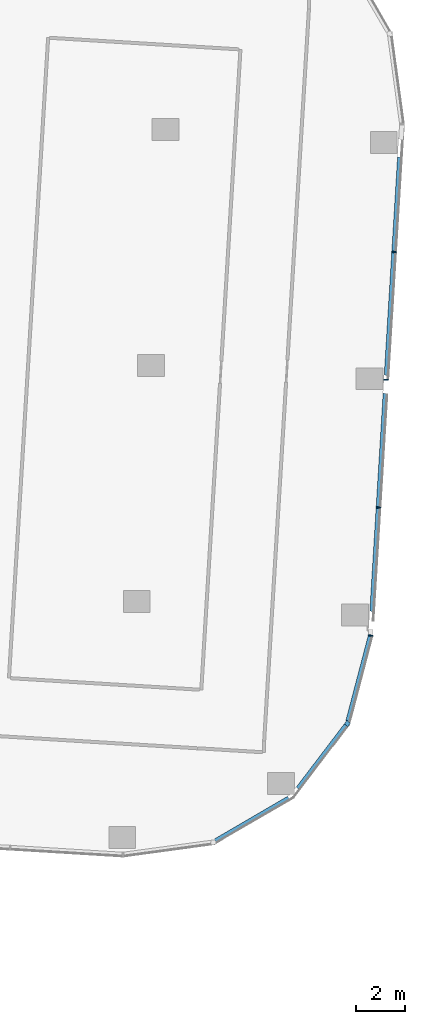
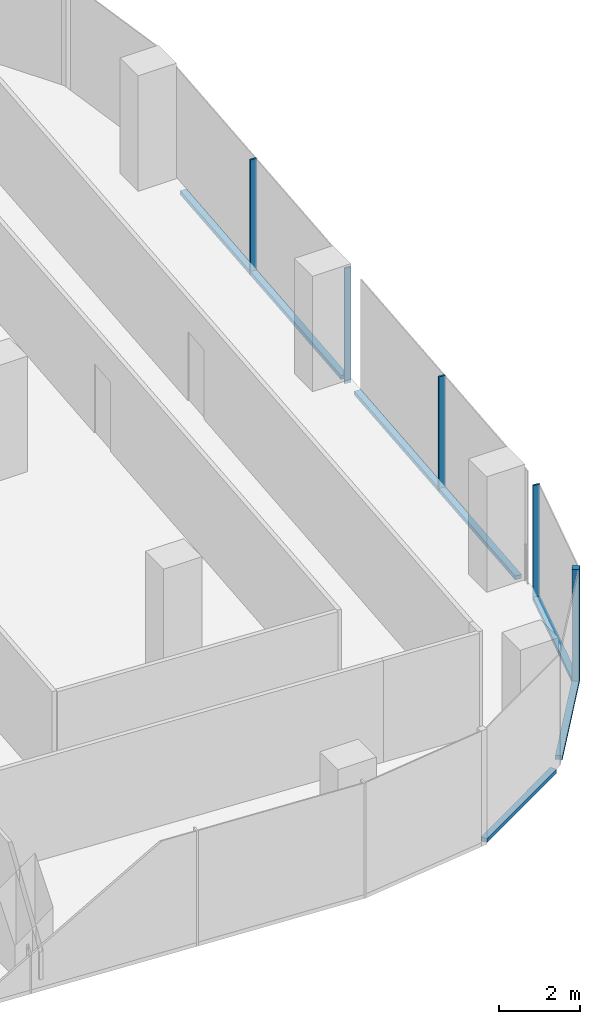
# One storey, part 9 of 32: 10 members, 4 elements without a shape of their own.
"""IFC4 building model written with IfcOpenShell, lengths in metres."""

from ifc_helpers import new_model, si_unit, direction, frame, origin, origin_2d, place, context, subcontext, project, spatial, rectangle, extrude, material, material_profile, profile_set, type_object, element, aggregate, save


model = new_model("IFC4")

# Units and contexts
model_context = context("Model", 3, precision=1e-05, world=origin(), true_north=direction((0.0, 1.0)))
body_context = subcontext(model_context, "Body", "Model", "MODEL_VIEW")
ifc_project = project(units=[si_unit("LENGTHUNIT", "METRE"), si_unit("AREAUNIT", "SQUARE_METRE"), si_unit("VOLUMEUNIT", "CUBIC_METRE"), si_unit("PLANEANGLEUNIT", "RADIAN"), si_unit("MASSUNIT", "GRAM", prefix="KILO")], contexts=[model_context])

# Site, building, storey
site_placement = place(None, origin())
site = spatial("IfcSite", under=ifc_project, at=site_placement, CompositionType="ELEMENT")
building_placement = place(site_placement, origin())
building = spatial("IfcBuilding", under=site, at=building_placement, Name="Orlundy Tower", CompositionType="ELEMENT")
storey_placement = place(building_placement, frame((0.0, 0.0, 152.60009765625)))
storey = spatial("IfcBuildingStorey", under=building, at=storey_placement, Name="L39", CompositionType="ELEMENT", Elevation=152.60009765625)

# Curtain wall, member
ifc_material_1 = material(Name="Aluminium bronze anodised", Category="aluminium")
curtain_wall_type = type_object("IfcCurtainWallType", Name="CW1 wall", PredefinedType="NOTDEFINED", material=ifc_material_1)
curtain_wall_1_placement = place(storey_placement, origin())
curtain_wall_1 = element("IfcCurtainWall", 1, at=curtain_wall_1_placement, inside=storey, type_object=curtain_wall_type, Name="CW1 run 025", PredefinedType="NOTDEFINED")
ifc_material_2 = material(Name="Aluminium bronze anodised", Category="aluminium")
ifc_material_profile_1 = material_profile(ifc_material_2, rectangle(XDim=0.179931640625, YDim=0.179931640625, at=origin_2d()), Name="CW1 corner post 180x180")
ifc_profile_set_1 = profile_set([ifc_material_profile_1], Name="Aluminium bronze anodised")
member_type_1 = type_object("IfcMemberType", Name="CW1 corner post 180x180", PredefinedType="MULLION", material=ifc_profile_set_1)
member_1_placement = place(storey_placement, frame((58.884521484375, -17.79833984375, -0.400146484375), z_axis=(0.0, 0.0, 1.0), x_axis=(0.796131001065, -0.605124308835, 0.0)))
member_1 = element("IfcMember", 2, at=member_1_placement, type_object=member_type_1, Name="CW1 mullion 66", PredefinedType="MULLION", context=body_context, shape_type="SweptSolid", body=[
    extrude(rectangle(XDim=0.179931640625, YDim=0.179931640625, at=origin_2d()), origin(), (0.0, 0.0, 1.0), 3.5),
])

# Curtain wall, members
curtain_wall_2_placement = place(storey_placement, origin())
curtain_wall_2 = element("IfcCurtainWall", 3, at=curtain_wall_2_placement, inside=storey, type_object=curtain_wall_type, Name="CW1 run 023", PredefinedType="NOTDEFINED")
ifc_material_3 = material(Name="Aluminium bronze anodised", Category="aluminium")
ifc_material_profile_2 = material_profile(ifc_material_3, rectangle(XDim=0.179931640625, YDim=0.050048828125, at=origin_2d()), Name="CW1 mullion 50x180")
ifc_profile_set_2 = profile_set([ifc_material_profile_2], Name="Aluminium bronze anodised")
member_type_2 = type_object("IfcMemberType", Name="CW1 mullion 50x180", PredefinedType="MULLION", material=ifc_profile_set_2)
member_2_placement = place(storey_placement, frame((60.79736328125, 1.541259765625, -0.400146484375), z_axis=(0.0, 0.0, 1.0), x_axis=(0.998134884544, -0.061047131434, 0.0)))
member_2 = element("IfcMember", 4, at=member_2_placement, type_object=member_type_2, Name="CW1 mullion 62", PredefinedType="MULLION", context=body_context, shape_type="SweptSolid", body=[
    extrude(rectangle(XDim=0.179931640625, YDim=0.050048828125, at=origin_2d()), origin(), (0.0, 0.0, 1.0), 3.5),
])
member_3_placement = place(storey_placement, frame((60.476806640625, -3.698974609375, -0.400146484375), z_axis=(0.0, 0.0, 1.0), x_axis=(0.998134884544, -0.061047131434, 0.0)))
member_3 = element("IfcMember", 5, at=member_3_placement, type_object=member_type_2, Name="CW1 mullion 63", PredefinedType="MULLION", context=body_context, shape_type="SweptSolid", body=[
    extrude(rectangle(XDim=0.179931640625, YDim=0.050048828125, at=origin_2d()), origin(), (0.0, 0.0, 1.0), 3.5),
])
member_4_placement = place(storey_placement, frame((60.15625, -8.939208984375, -0.400146484375), z_axis=(0.0, 0.0, 1.0), x_axis=(0.998134884544, -0.061047131434, 0.0)))
member_4 = element("IfcMember", 6, at=member_4_placement, type_object=member_type_2, Name="CW1 mullion 64", PredefinedType="MULLION", context=body_context, shape_type="SweptSolid", body=[
    extrude(rectangle(XDim=0.179931640625, YDim=0.050048828125, at=origin_2d()), origin(), (0.0, 0.0, 1.0), 3.5),
])

# Curtain wall, member
curtain_wall_3_placement = place(storey_placement, origin())
curtain_wall_3 = element("IfcCurtainWall", 7, at=curtain_wall_3_placement, inside=storey, type_object=curtain_wall_type, Name="CW1 run 024", PredefinedType="NOTDEFINED")
member_5_placement = place(storey_placement, frame((59.835205078125, -14.188232421875, -0.400146484375), z_axis=(0.0, 0.0, 1.0), x_axis=(0.987336298945, -0.158641207715, 0.0)))
member_5 = element("IfcMember", 8, at=member_5_placement, type_object=member_type_2, Name="CW1 mullion 65", PredefinedType="MULLION", context=body_context, shape_type="SweptSolid", body=[
    extrude(rectangle(XDim=0.179931640625, YDim=0.050048828125, at=origin_2d()), origin(), (0.0, 0.0, 1.0), 3.5),
])

# Member
ifc_material_4 = material(Name="Aluminium bronze anodised", Category="aluminium")
ifc_material_profile_3 = material_profile(ifc_material_4, rectangle(XDim=0.179931640625, YDim=0.1201171875, at=origin_2d()), Name="CW1 transom 180x120")
ifc_profile_set_3 = profile_set([ifc_material_profile_3], Name="Aluminium bronze anodised")
member_type_3 = type_object("IfcMemberType", Name="CW1 transom 180x120", PredefinedType="USERDEFINED", material=ifc_profile_set_3)
member_6_placement = place(storey_placement, frame((61.034912109375, 5.425048828125, -0.340087890625), z_axis=(-0.061048001915, -0.998134831304, 0.0), x_axis=(0.998134831304, -0.061048001915, 0.0)))
member_6 = element("IfcMember", 9, at=member_6_placement, type_object=member_type_3, Name="CW1 transom", ObjectType="TRANSOM", PredefinedType="USERDEFINED", context=body_context, shape_type="SweptSolid", body=[
    extrude(rectangle(XDim=0.179931640625, YDim=0.1201171875, at=origin_2d()), origin(), (0.0, 0.0, 1.0), 8.9580078125),
])

member_7_placement = place(storey_placement, frame((60.442626953125, -4.257080078125, -0.340087890625), z_axis=(-0.061039114638, -0.998135374829, 0.0), x_axis=(0.998135374829, -0.061039114638, 0.0)))
member_7 = element("IfcMember", 10, at=member_7_placement, type_object=member_type_3, Name="CW1 transom", ObjectType="TRANSOM", PredefinedType="USERDEFINED", context=body_context, shape_type="SweptSolid", body=[
    extrude(rectangle(XDim=0.179931640625, YDim=0.1201171875, at=origin_2d()), origin(), (0.0, 0.0, 1.0), 8.955322265625),
])

aggregate(curtain_wall_2, [member_2, member_3, member_4, member_6, member_7])

member_8_placement = place(storey_placement, frame((59.828857421875, -14.212646484375, -0.340087890625), z_axis=(-0.254719622241, -0.96701495027, 0.0), x_axis=(0.96701495027, -0.254719622241, 0.0)))
member_8 = element("IfcMember", 11, at=member_8_placement, type_object=member_type_3, Name="CW1 transom", ObjectType="TRANSOM", PredefinedType="USERDEFINED", context=body_context, shape_type="SweptSolid", body=[
    extrude(rectangle(XDim=0.179931640625, YDim=0.1201171875, at=origin_2d()), origin(), (0.0, 0.0, 1.0), 3.610595703125),
])

aggregate(curtain_wall_3, [member_5, member_8])

member_9_placement = place(storey_placement, frame((58.830078125, -17.869873046875, -0.340087890625), z_axis=(-0.605113705062, -0.796139060684, 0.0), x_axis=(0.796139060684, -0.605113705062, 0.0)))
member_9 = element("IfcMember", 12, at=member_9_placement, type_object=member_type_3, Name="CW1 transom", ObjectType="TRANSOM", PredefinedType="USERDEFINED", context=body_context, shape_type="SweptSolid", body=[
    extrude(rectangle(XDim=0.179931640625, YDim=0.1201171875, at=origin_2d()), origin(), (0.0, 0.0, 1.0), 3.25390625),
])

aggregate(curtain_wall_1, [member_1, member_9])

# Curtain wall, member
curtain_wall_4_placement = place(storey_placement, origin())
curtain_wall_4 = element("IfcCurtainWall", 13, at=curtain_wall_4_placement, inside=storey, type_object=curtain_wall_type, Name="CW1 run 026", PredefinedType="NOTDEFINED")
member_10_placement = place(storey_placement, frame((56.478759765625, -20.860107421875, -0.340087890625), z_axis=(-0.863890782548, -0.503679179468, 0.0), x_axis=(0.503679179468, -0.863890782548, 0.0)))
member_10 = element("IfcMember", 14, at=member_10_placement, type_object=member_type_3, Name="CW1 transom", ObjectType="TRANSOM", PredefinedType="USERDEFINED", context=body_context, shape_type="SweptSolid", body=[
    extrude(rectangle(XDim=0.179931640625, YDim=0.1201171875, at=origin_2d()), origin(), (0.0, 0.0, 1.0), 3.481689453125),
])
aggregate(curtain_wall_4, [member_10])

save(model, "model.ifc")
